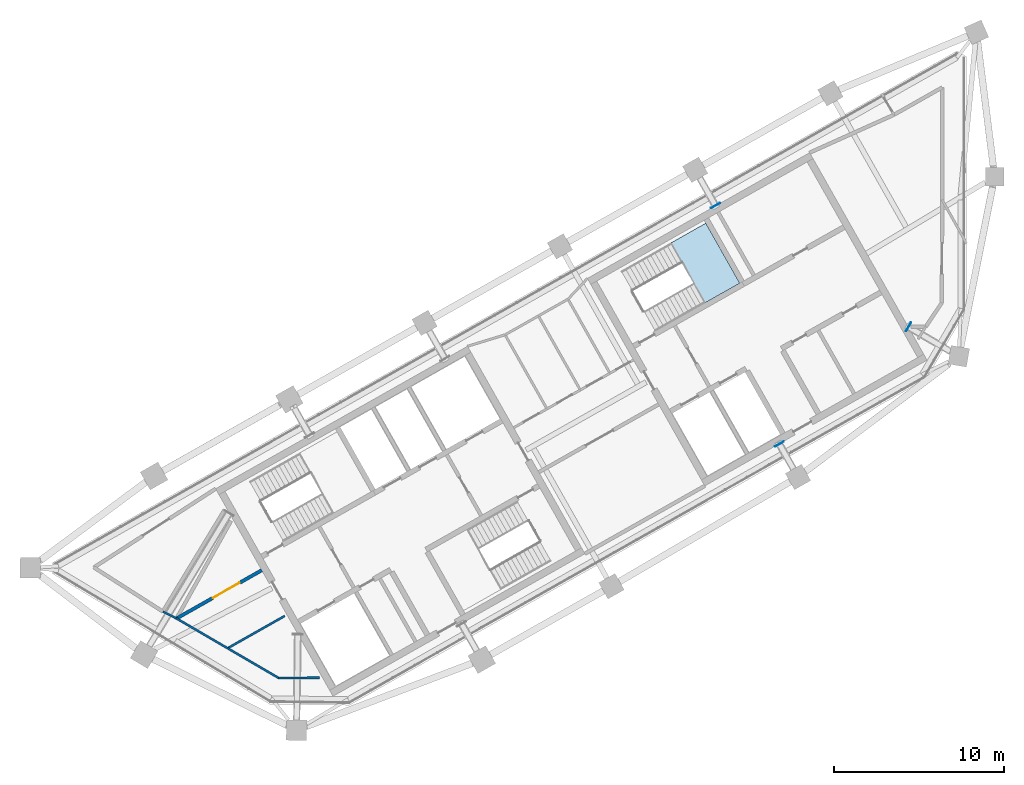
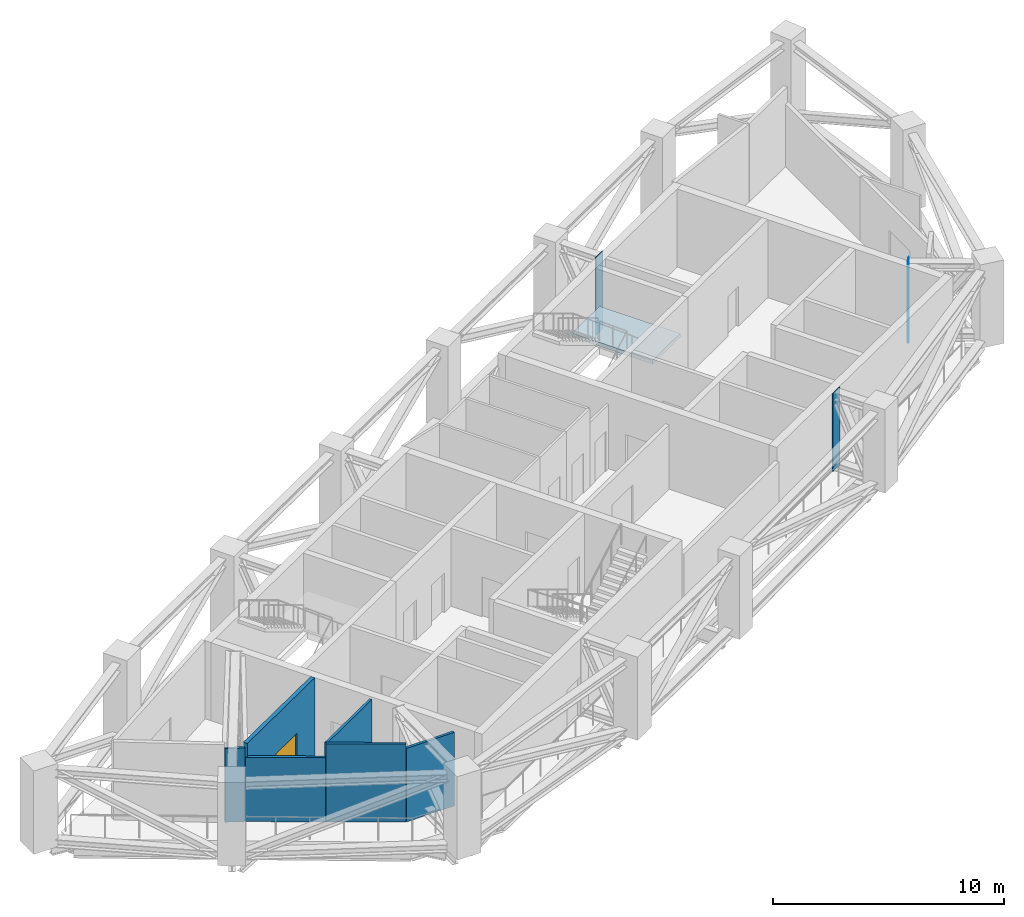
# One storey, part 5 of 10: 6 walls, 3 plates, 1 door, 1 slab, 1 opening, 1 element without a shape of its own.
"""IFC4 building model written with IfcOpenShell, lengths in metres."""

from ifc_helpers import new_model, si_unit, direction, frame, frame_2d, origin, origin_2d, place, context, subcontext, project, spatial, polyline, rectangle, outline, extrude, material, layer, layer_set, type_object, element, fill, aggregate, save


model = new_model("IFC4")

# Units and contexts
model_context = context("Model", 3, precision=1e-05, world=origin(), true_north=direction((0.0, 1.0)))
body_context = subcontext(model_context, "Body", "Model", "MODEL_VIEW")
ifc_project = project(units=[si_unit("LENGTHUNIT", "METRE"), si_unit("AREAUNIT", "SQUARE_METRE"), si_unit("VOLUMEUNIT", "CUBIC_METRE"), si_unit("PLANEANGLEUNIT", "RADIAN"), si_unit("MASSUNIT", "GRAM", prefix="KILO")], contexts=[model_context])

# Site, building, storey
site_placement = place(None, origin())
site = spatial("IfcSite", under=ifc_project, at=site_placement, CompositionType="ELEMENT")
building_placement = place(site_placement, origin())
building = spatial("IfcBuilding", under=site, at=building_placement, Name="Binnacle Exchange Tower", CompositionType="ELEMENT")
storey_placement = place(building_placement, frame((0.0, 0.0, 312.10009765625)))
storey = spatial("IfcBuildingStorey", under=building, at=storey_placement, Name="L70", CompositionType="ELEMENT", Elevation=312.10009765625)

# Plates
ifc_material_1 = material(Name="Steel S355 (SM355)", Category="steel")
ifc_layer_1 = layer(ifc_material_1, 0.0400390625)
ifc_layer_set_1 = layer_set([ifc_layer_1], Name="Cast-in plate 40")
plate_type = type_object("IfcPlateType", Name="Cast-in plate 40", PredefinedType="SHEET", material=ifc_layer_set_1)
for number, where, z_axis, x_axis, name in (
    (1, (-17.25244140625, 58.3046875, -0.000244140625), (0.0, 0.0, 1.0), (0.492423560103, -0.87035569594, 0.0), "Cast-in plate CP-OT70 40"),
    (2, (-13.495361328125, 44.299072265625, -0.000244140625), (0.0, 0.0, 1.0), (-0.492423560103, 0.87035569594, 0.0), "Cast-in plate CP-OT70 40"),
    (3, (-5.913818359375, 51.180908203125, -0.000244140625), (0.0, 0.0, 1.0), (-0.863835505204, 0.503773977046, 0.0), "Cast-in plate CP-OT70 40"),
):
    element("IfcPlate", number, at=place(storey_placement, frame(where, z_axis=z_axis, x_axis=x_axis)), inside=storey, type_object=plate_type, Name=name, PredefinedType="SHEET", context=body_context, shape_type="SweptSolid", body=[
        extrude(rectangle(XDim=0.0400390625, YDim=0.60009765625, at=origin_2d()), origin(), (0.0, 0.0, 1.0), 4.1201171875),
    ])

# Stair, slab
ifc_material_2 = material(Name="Concrete C35/45", Category="concrete")
stair_type = type_object("IfcStairType", Name="STAIR 26 RISERS 169", PredefinedType="HALF_TURN_STAIR", material=ifc_material_2)
stair_placement = place(storey_placement, origin())
stair = element("IfcStair", 4, at=stair_placement, inside=storey, type_object=stair_type, Name="L70 Escape stair C1", PredefinedType="HALF_TURN_STAIR")
ifc_layer_2 = layer(ifc_material_2, 0.199951171875)
ifc_layer_set_2 = layer_set([ifc_layer_2], Name="STAIR LANDING 200")
slab_type = type_object("IfcSlabType", Name="STAIR LANDING 200", PredefinedType="LANDING", material=ifc_layer_set_2)
slab_placement = place(storey_placement, frame((0.0, 0.0, 2.0)))
slab = element("IfcSlab", 5, at=slab_placement, type_object=slab_type, Name="STC1 landing 1", PredefinedType="LANDING", context=body_context, shape_type="SweptSolid", body=[
    extrude(outline(polyline([(-17.876708984375, 52.5859375), (-15.822509765625, 53.748046875), (-17.81689453125, 57.27294921875), (-19.870849609375, 56.11083984375), (-17.876708984375, 52.5859375)])), origin(), (0.0, 0.0, 1.0), 0.199951171875),
])
aggregate(stair, [slab])

# Wall, opening, door
ifc_material_3 = material(Name="Masonry block wall", Category="masonry")
ifc_layer_3 = layer(ifc_material_3, 0.199951171875)
ifc_layer_set_3 = layer_set([ifc_layer_3], Name="Fire wall - block 200")
wall_type_1 = type_object("IfcWallType", Name="Fire wall - block 200", PredefinedType="PARTITIONING", material=ifc_layer_set_3)
wall_1_placement = place(storey_placement, frame((-48.905029296875, 34.053955078125, 0.0), z_axis=(0.0, 0.0, 1.0), x_axis=(0.870335821512, 0.492458686383, 0.0)))
wall_1 = element("IfcWall", 6, at=wall_1_placement, inside=storey, type_object=wall_type_1, Name="Partition W06", PredefinedType="PARTITIONING", context=body_context, shape_type="SweptSolid", body=[
    extrude(rectangle(XDim=5.750732421875, YDim=0.199951171875, at=frame_2d((2.87548828125, 0.0))), origin(), (0.0, 0.0, 1.0), 4.119873046875),
])
opening_placement = place(wall_1_placement, frame((2.449951171875, 0.0, 0.0)))
opening = element("IfcOpeningElement", 7, at=opening_placement, cuts=wall_1, Name="Opening DL70-09", PredefinedType="OPENING", context=body_context, shape_type="SweptSolid", body=[
    extrude(rectangle(XDim=1.800048828125, YDim=2.10009765625, at=frame_2d((0.89990234375, 1.050048828125))), frame((0.0, 0.10986328125, 0.0), z_axis=(0.0, -1.0, 0.0), x_axis=(1.0, 0.0, 0.0)), (0.0, 0.0, 1.0), 0.219970703125),
])
ifc_material_4 = material(Name="Steel door leaf", Category="steel")
door_type = type_object("IfcDoorType", Name="Fire door 1800", OperationType="NOTDEFINED", PredefinedType="DOOR", material=ifc_material_4)
door_placement = place(opening_placement, origin())
door = element("IfcDoor", 8, at=door_placement, inside=storey, type_object=door_type, Name="Door DL70-09", OperationType="DOUBLE_DOOR_SINGLE_SWING", OverallHeight=2.10009765625, OverallWidth=1.800048828125, PredefinedType="DOOR", context=body_context, shape_type="SweptSolid", body=[
    extrude(rectangle(XDim=1.800048828125, YDim=2.10009765625, at=frame_2d((0.89990234375, 1.050048828125))), frame((0.0, 0.02490234375, 0.0), z_axis=(0.0, -1.0, 0.0), x_axis=(1.0, 0.0, 0.0)), (0.0, 0.0, 1.0), 0.050048828125),
])
fill(opening, door)

# Walls
ifc_material_5 = material(Name="Gypsum partition")
ifc_layer_4 = layer(ifc_material_5, 0.125)
ifc_layer_set_4 = layer_set([ifc_layer_4], Name="Partition 125")
wall_type_2 = type_object("IfcWallType", Name="Partition 125", PredefinedType="PARTITIONING", material=ifc_layer_set_4)
wall_2_placement = place(storey_placement, frame((-49.699951171875, 34.4560546875, 0.0), z_axis=(0.0, 0.0, 1.0), x_axis=(0.892589601947, -0.450870050564, 0.0)))
element("IfcWall", 9, at=wall_2_placement, inside=storey, type_object=wall_type_2, Name="Partition W03", PredefinedType="PARTITIONING", context=body_context, shape_type="SweptSolid", body=[
    extrude(rectangle(XDim=0.88037109375, YDim=0.125, at=frame_2d((0.440185546875, 0.0))), origin(), (0.0, 0.0, 1.0), 3.885986328125),
])
wall_3_placement = place(storey_placement, frame((-48.905029296875, 34.053955078125, 0.0), z_axis=(0.0, 0.0, 1.0), x_axis=(0.863972582591, -0.50353885305, 0.0)))
element("IfcWall", 10, at=wall_3_placement, inside=storey, type_object=wall_type_2, Name="Partition W05", PredefinedType="PARTITIONING", context=body_context, shape_type="SweptSolid", body=[
    extrude(rectangle(XDim=3.473388671875, YDim=0.125, at=frame_2d((1.73681640625, 0.0))), origin(), (0.0, 0.0, 1.0), 3.39990234375),
])
wall_4_placement = place(storey_placement, frame((-45.89404296875, 32.299072265625, 0.0), z_axis=(0.0, 0.0, 1.0), x_axis=(0.863904238122, -0.503656100285, 0.0)))
element("IfcWall", 11, at=wall_4_placement, inside=storey, type_object=wall_type_2, Name="Partition W08", PredefinedType="PARTITIONING", context=body_context, shape_type="SweptSolid", body=[
    extrude(rectangle(XDim=3.4609375, YDim=0.125, at=frame_2d((1.73046875, 0.0))), origin(), (0.0, 0.0, 1.0), 4.119873046875),
])
wall_5_placement = place(storey_placement, frame((-45.885986328125, 32.31591796875, 0.0), z_axis=(0.0, 0.0, 1.0), x_axis=(0.870373922462, 0.492391343444, 0.0)))
element("IfcWall", 12, at=wall_5_placement, inside=storey, type_object=wall_type_2, Name="Partition W09", PredefinedType="PARTITIONING", context=body_context, shape_type="SweptSolid", body=[
    extrude(rectangle(XDim=3.828369140625, YDim=0.125, at=frame_2d((1.9140625, 0.0))), origin(), (0.0, 0.0, 1.0), 4.119873046875),
])
wall_6_placement = place(storey_placement, frame((-42.904052734375, 30.555908203125, 0.0), z_axis=(0.0, 0.0, 1.0), x_axis=(0.999971717806, 0.007520876829, 0.0)))
element("IfcWall", 13, at=wall_6_placement, inside=storey, type_object=wall_type_2, Name="Partition W10", PredefinedType="PARTITIONING", context=body_context, shape_type="SweptSolid", body=[
    extrude(rectangle(XDim=2.402099609375, YDim=0.125, at=frame_2d((1.201171875, 0.0))), origin(), (0.0, 0.0, 1.0), 3.885986328125),
])

save(model, "model.ifc")
